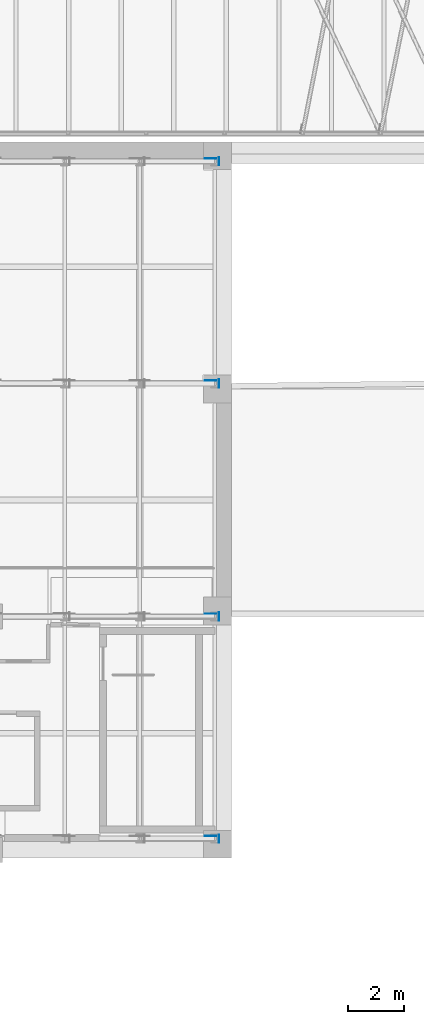
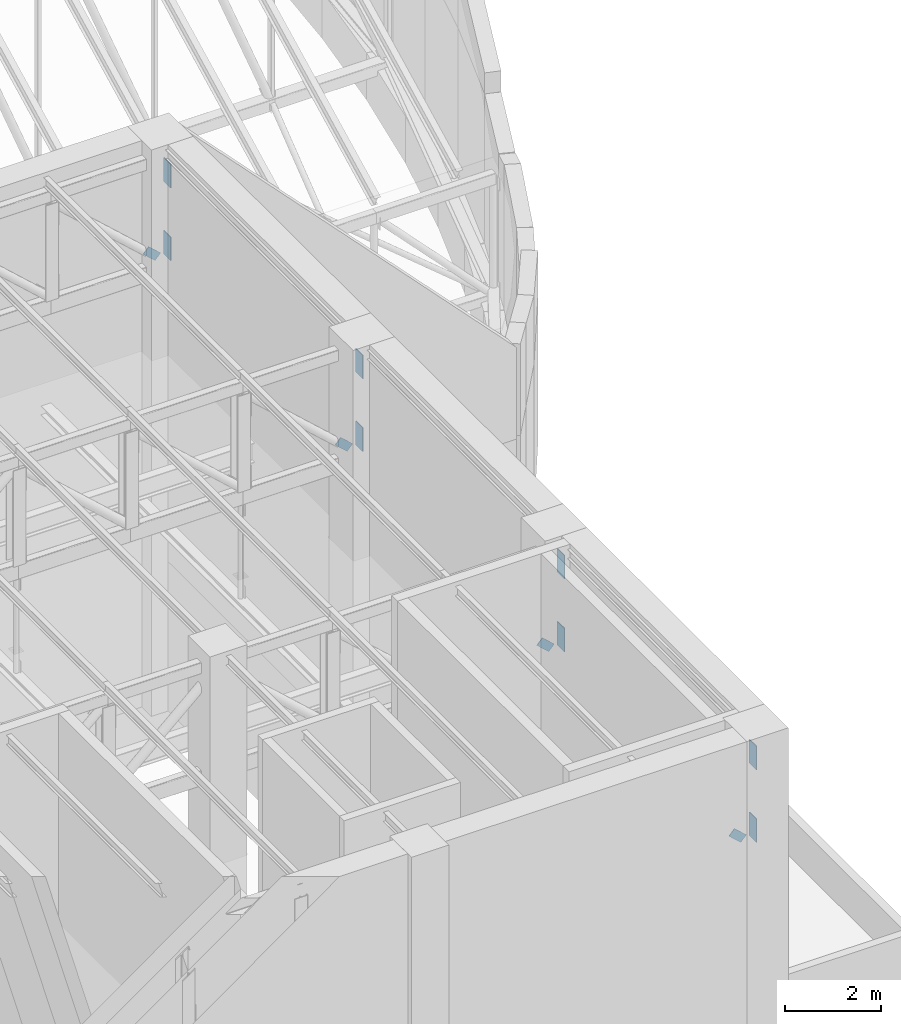
# One storey, part 45 of 68: 12 discrete accessories.
"""IFC4 building model written with IfcOpenShell, lengths in metres."""

from ifc_helpers import new_model, si_unit, direction, frame, origin, origin_2d, place, context, subcontext, project, spatial, rectangle, extrude, material, material_profile, profile_set, type_object, element, save


model = new_model("IFC4")

# Units and contexts
model_context = context("Model", 3, precision=1e-05, world=origin(), true_north=direction((0.0, 1.0)))
body_context = subcontext(model_context, "Body", "Model", "MODEL_VIEW")
ifc_project = project(units=[si_unit("LENGTHUNIT", "METRE"), si_unit("AREAUNIT", "SQUARE_METRE"), si_unit("VOLUMEUNIT", "CUBIC_METRE"), si_unit("PLANEANGLEUNIT", "RADIAN"), si_unit("MASSUNIT", "GRAM", prefix="KILO")], contexts=[model_context])

# Site, building, storey
site_placement = place(None, origin())
site = spatial("IfcSite", under=ifc_project, at=site_placement, CompositionType="ELEMENT")
building_placement = place(site_placement, origin())
building = spatial("IfcBuilding", under=site, at=building_placement, Name="Larchfold Concert Hall", CompositionType="ELEMENT")
storey_placement = place(building_placement, frame((0.0, 0.0, 28.800048828125)))
storey = spatial("IfcBuildingStorey", under=building, at=storey_placement, Name="L06", CompositionType="ELEMENT", Elevation=28.800048828125)

# Discrete accessories
ifc_material_1 = material(Name="Steel S355 galvanised bracket", Category="steel")
ifc_material_profile_1 = material_profile(ifc_material_1, rectangle(XDim=0.011962890625, YDim=0.199951171875, at=origin_2d()))
ifc_profile_set_1 = profile_set([ifc_material_profile_1], Name="Steel S355 galvanised bracket")
discrete_accessory_type_1 = type_object("IfcDiscreteAccessoryType", Name="Gusset plate 12x200", PredefinedType="BRACKET", material=ifc_profile_set_1)
for number, where, z_axis, x_axis, name in (
    (1, (50.398193359375, 34.702880859375, 11.57373046875), (0.740624199034, 0.0, -0.671919486103), (0.0, 1.0, 0.0), "Gusset plate GP0684"),
    (2, (50.398193359375, 42.702880859375, 11.57373046875), (0.740624199034, 0.0, -0.671919486103), (0.0, 1.0, 0.0), "Gusset plate GP0710"),
    (3, (50.398193359375, 51.102783203125, 11.57373046875), (0.740624199034, 0.0, -0.671919486103), (0.0, 1.0, 0.0), "Gusset plate GP0736"),
    (4, (50.398193359375, 59.102783203125, 11.57373046875), (0.740624199034, 0.0, -0.671919486103), (0.0, 1.0, 0.0), "Gusset plate GP0762"),
):
    element("IfcDiscreteAccessory", number, at=place(storey_placement, frame(where, z_axis=z_axis, x_axis=x_axis)), inside=storey, type_object=discrete_accessory_type_1, Name=name, PredefinedType="BRACKET", context=body_context, shape_type="SweptSolid", body=[
        extrude(rectangle(XDim=0.011962890625, YDim=0.199951171875, at=origin_2d()), origin(), (0.0, 0.0, 1.0), 0.38720703125),
    ])
ifc_material_2 = material(Name="Steel S355 galvanised bracket", Category="steel")
ifc_material_profile_2 = material_profile(ifc_material_2, rectangle(XDim=0.02001953125, YDim=0.300048828125, at=origin_2d()))
ifc_profile_set_2 = profile_set([ifc_material_profile_2], Name="Steel S355 galvanised bracket")
discrete_accessory_type_2 = type_object("IfcDiscreteAccessoryType", Name="Gusset plate 20x300", PredefinedType="BRACKET", material=ifc_profile_set_2)
for number, where, z_axis, x_axis, name in (
    (5, (50.85986328125, 34.60009765625, 11.300048828125), (0.0, 0.0, 1.0), (1.0, 0.0, 0.0), "Gusset plate GP0671"),
    (6, (50.85986328125, 34.60009765625, 13.14990234375), (0.0, 0.0, 1.0), (1.0, 0.0, 0.0), "Gusset plate GP0672"),
    (7, (50.85986328125, 42.60009765625, 11.300048828125), (0.0, 0.0, 1.0), (1.0, 0.0, 0.0), "Gusset plate GP0697"),
    (8, (50.85986328125, 42.60009765625, 13.14990234375), (0.0, 0.0, 1.0), (1.0, 0.0, 0.0), "Gusset plate GP0698"),
    (9, (50.85986328125, 51.0, 11.300048828125), (0.0, 0.0, 1.0), (1.0, 0.0, 0.0), "Gusset plate GP0723"),
    (10, (50.85986328125, 51.0, 13.14990234375), (0.0, 0.0, 1.0), (1.0, 0.0, 0.0), "Gusset plate GP0724"),
    (11, (50.85986328125, 59.0, 11.300048828125), (0.0, 0.0, 1.0), (1.0, 0.0, 0.0), "Gusset plate GP0749"),
    (12, (50.85986328125, 59.0, 13.14990234375), (0.0, 0.0, 1.0), (1.0, 0.0, 0.0), "Gusset plate GP0750"),
):
    element("IfcDiscreteAccessory", number, at=place(storey_placement, frame(where, z_axis=z_axis, x_axis=x_axis)), inside=storey, type_object=discrete_accessory_type_2, Name=name, PredefinedType="BRACKET", context=body_context, shape_type="SweptSolid", body=[
        extrude(rectangle(XDim=0.02001953125, YDim=0.300048828125, at=origin_2d()), origin(), (0.0, 0.0, 1.0), 0.60009765625),
    ])

save(model, "model.ifc")
